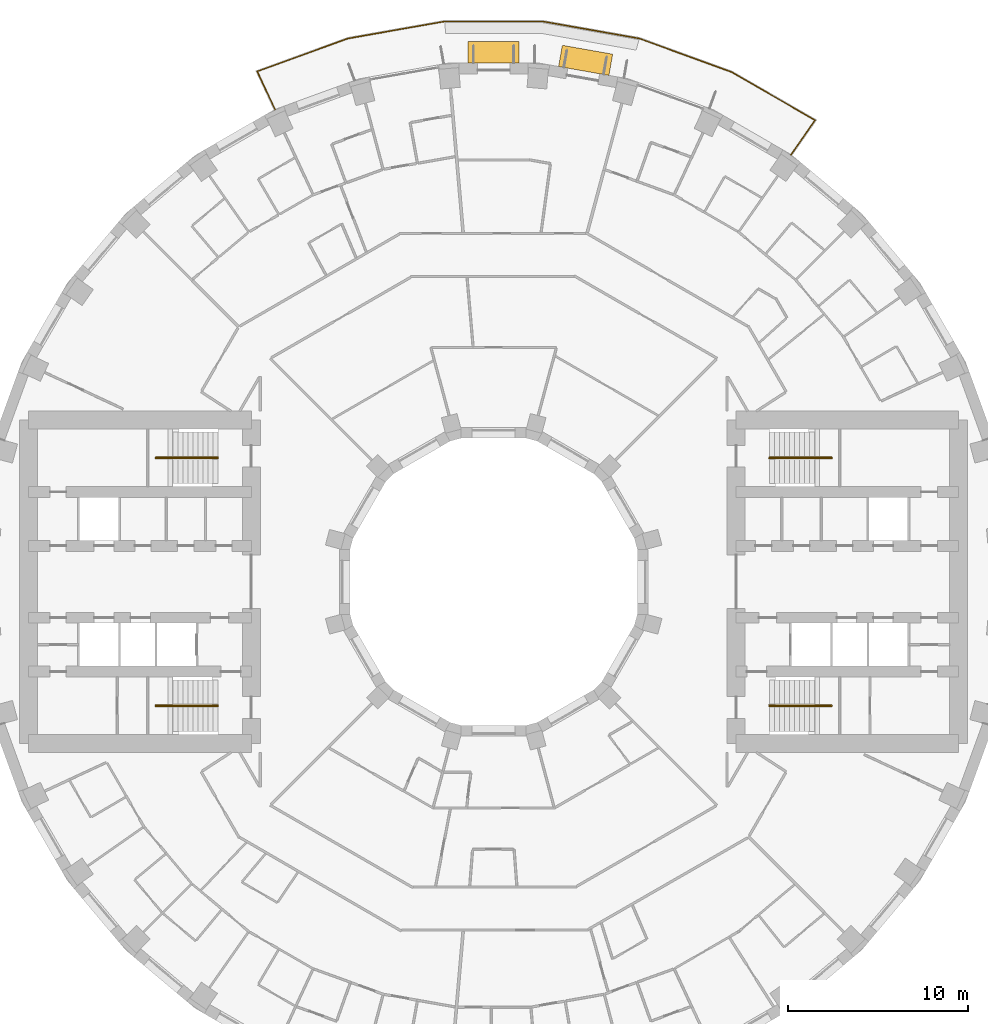
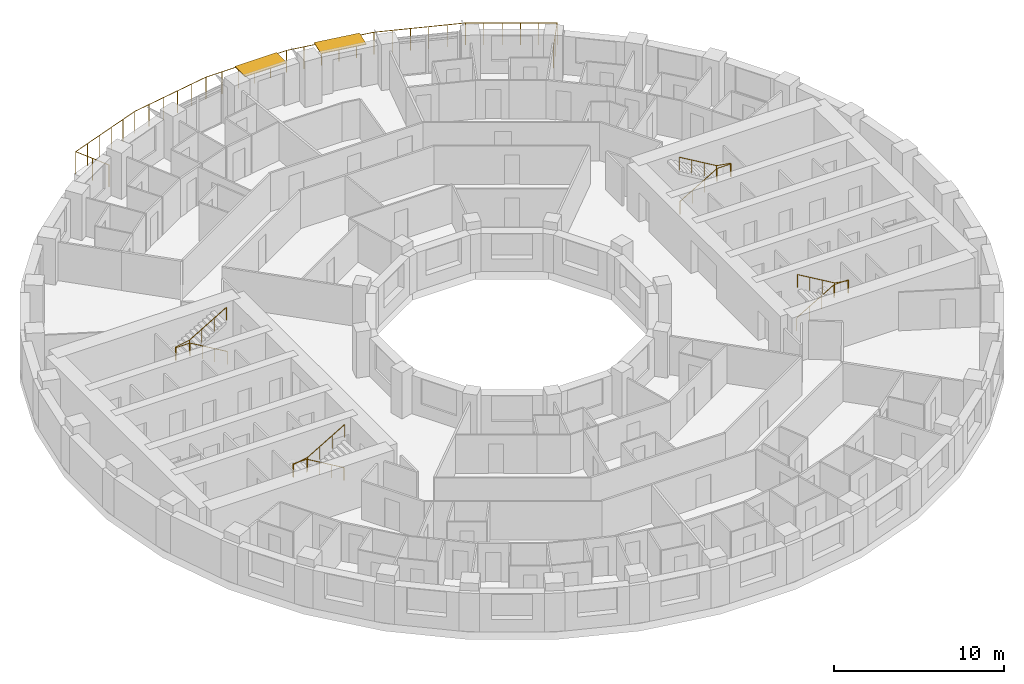
# One storey, part 15 of 15: 5 railings, 2 shading devices.
"""IFC4 building model written with IfcOpenShell, lengths in metres."""

import ifcopenshell
import ifcopenshell.guid

model = None  # the IFC model being written
_history = None  # IfcOwnerHistory: only IFC2X3 demands one
_inside = {}  # id of a spatial element -> (the spatial element, [elements in it])
_under = {}  # id of a project, library or spatial element -> (it, [spatial elements below it])
_declared = {}  # id of a project -> (the project, [libraries it declares])
_typed = {}  # id of a type object -> (the type object, [elements of that type])
_made_of = {}  # id of a material, layer set ... -> (it, [elements and type objects made of it])


def new_model(schema):
    """Start an empty IFC model of exactly this schema.

    Asked for "IFC4X3", IfcOpenShell would pick the latest addendum, in which some entities
    have other attributes; the version numbers below select the first issue.
    IFC2X3 requires an IfcOwnerHistory on every rooted entity: one is made here for all.
    """
    global model, _history
    if schema == "IFC4X3":
        model = ifcopenshell.file(schema_version=(4, 3, 0, 0))
    else:
        model = ifcopenshell.file(schema=schema)
    _inside.clear()
    _under.clear()
    _declared.clear()
    _typed.clear()
    _made_of.clear()
    _history = None
    if model.schema == "IFC2X3":
        org = make("IfcOrganization", Name="unknown")
        user = make(
            "IfcPersonAndOrganization",
            ThePerson=make("IfcPerson", FamilyName="unknown"),
            TheOrganization=org,
        )
        app = make(
            "IfcApplication",
            ApplicationDeveloper=org,
            Version="unknown",
            ApplicationFullName="unknown",
            ApplicationIdentifier="unknown",
        )
        _history = make(
            "IfcOwnerHistory",
            OwningUser=user,
            OwningApplication=app,
            ChangeAction="ADDED",
            CreationDate=0,
        )
    return model


def make(cls, **values):
    """One entity of the class cls with the attributes given. An attribute that is None is left unset."""
    return model.create_entity(
        cls, **{name: value for name, value in values.items() if value is not None}
    )


def rooted(cls, **values):
    """An entity with a GlobalId (a new one), such as an element, a storey or a relation."""
    return make(cls, GlobalId=ifcopenshell.guid.new(), OwnerHistory=_history, **values)


def si_unit(unit_type, name, prefix=None):
    """IfcSIUnit, for example si_unit("LENGTHUNIT", "METRE", prefix="MILLI")."""
    return make("IfcSIUnit", UnitType=unit_type, Prefix=prefix, Name=name)


def assignment(units):
    """IfcUnitAssignment: the units of a project."""
    return None if units is None else make("IfcUnitAssignment", Units=units)


def point(xyz):
    """IfcCartesianPoint."""
    return None if xyz is None else make("IfcCartesianPoint", Coordinates=xyz)


def direction(xyz):
    """IfcDirection."""
    return None if xyz is None else make("IfcDirection", DirectionRatios=xyz)


def frame(location, z_axis=None, x_axis=None):
    """IfcAxis2Placement3D, a coordinate frame: its origin and axes. An axis left out is left unset."""
    return make(
        "IfcAxis2Placement3D",
        Location=point(location),
        Axis=direction(z_axis),
        RefDirection=direction(x_axis),
    )


def frame_2d(location, x_axis=None):
    """IfcAxis2Placement2D, a coordinate frame in the plane: its origin and x axis."""
    return make(
        "IfcAxis2Placement2D", Location=point(location), RefDirection=direction(x_axis)
    )


def origin():
    """The frame at (0, 0, 0) with its axes left unset."""
    return frame((0.0, 0.0, 0.0))


def origin_2d():
    """The frame at (0, 0) in the plane with its x axis left unset."""
    return frame_2d((0.0, 0.0))


def place(relative_to, where):
    """IfcLocalPlacement: puts the frame where relative to a parent placement (None: the world)."""
    return make(
        "IfcLocalPlacement", PlacementRelTo=relative_to, RelativePlacement=where
    )


def context(
    kind, dimensions, precision=None, world=None, true_north=None, identifier=None
):
    """IfcGeometricRepresentationContext, for example the 3D "Model" context."""
    return make(
        "IfcGeometricRepresentationContext",
        ContextIdentifier=identifier,
        ContextType=kind,
        CoordinateSpaceDimension=dimensions,
        Precision=precision,
        WorldCoordinateSystem=world,
        TrueNorth=true_north,
    )


def subcontext(parent, identifier, kind, view, scale=None):
    """IfcGeometricRepresentationSubContext, for example "Body" below "Model"."""
    return make(
        "IfcGeometricRepresentationSubContext",
        ContextIdentifier=identifier,
        ContextType=kind,
        ParentContext=parent,
        TargetScale=scale,
        TargetView=view,
    )


def project(units=None, contexts=None):
    """IfcProject with its units and contexts."""
    return rooted(
        "IfcProject",
        Name="project",
        RepresentationContexts=contexts,
        UnitsInContext=assignment(units),
    )


def spatial(cls, under=None, at=None, **own):
    """A site, building, storey or space (cls), placed at a placement, below another one or the project."""
    s = rooted(cls, ObjectPlacement=at, **own)
    if under is not None:
        _under.setdefault(under.id(), (under, []))[1].append(s)
    return s


def profile(cls, at=None, kind="AREA", **sizes):
    """A parametric profile (cls). Its sizes go by their IFC names, for example OverallWidth=200.0."""
    return make(cls, ProfileType=kind, Position=at, **sizes)


def rectangle(**sizes):
    """IfcRectangleProfileDef."""
    return profile("IfcRectangleProfileDef", **sizes)


def circle(**sizes):
    """IfcCircleProfileDef."""
    return profile("IfcCircleProfileDef", **sizes)


def extrude(swept, where, along, depth):
    """IfcExtrudedAreaSolid: the profile swept, set in the frame where, extruded along a direction by depth."""
    return make(
        "IfcExtrudedAreaSolid",
        SweptArea=swept,
        Position=where,
        ExtrudedDirection=direction(along),
        Depth=depth,
    )


def shape(context_of_items, identifier, shape_type, items):
    """IfcShapeRepresentation: the items that make up one representation, for example the "Body"."""
    return make(
        "IfcShapeRepresentation",
        ContextOfItems=context_of_items,
        RepresentationIdentifier=identifier,
        RepresentationType=shape_type,
        Items=items,
    )


def material(Name=None, Category=None):
    """IfcMaterial."""
    return make("IfcMaterial", Name=Name, Category=Category)


def layer(
    of_material, thickness, ventilated=None, Name=None, Category=None, Priority=None
):
    """IfcMaterialLayer: one layer of a wall or slab, of a material (None: an air gap)."""
    return make(
        "IfcMaterialLayer",
        Material=of_material,
        LayerThickness=thickness,
        IsVentilated=ventilated,
        Name=Name,
        Category=Category,
        Priority=Priority,
    )


def layer_set(layers, Name=None):
    """IfcMaterialLayerSet."""
    return make("IfcMaterialLayerSet", MaterialLayers=layers, LayerSetName=Name)


def made_of(thing, what):
    """Note that an element or type object is made of a material, layer set ...; save() writes the relation."""
    if what is not None:
        _made_of.setdefault(what.id(), (what, []))[1].append(thing)
    return thing


def type_object(cls, material=None, **own):
    """A type object (cls), such as IfcWallType, which elements share."""
    return made_of(rooted(cls, **own), material)


def element(
    cls,
    number,
    at=None,
    inside=None,
    cuts=None,
    type_object=None,
    material=None,
    context=None,
    identifier="Body",
    shape_type=None,
    held_by="IfcProductDefinitionShape",
    body=None,
    shapes=None,
    **own,
):
    """One element of the class cls, such as IfcWall. Its Tag is "e" and its number.

    at: its placement. inside: the storey or other place that contains it. cuts: it is an
    opening in that element (IfcRelVoidsElement). A single representation is given by context,
    identifier, shape_type and body (its items); several are given by shapes. held_by: the class
    of the entity that holds the representations. save() writes the other relations.
    """
    e = rooted(cls, Tag="e%d" % number, ObjectPlacement=at, **own)
    if body is not None:
        shapes = [shape(context, identifier, shape_type, body)]
    if shapes is not None:
        e.Representation = make(held_by, Representations=shapes)
    if inside is not None:
        _inside.setdefault(inside.id(), (inside, []))[1].append(e)
    if cuts is not None:
        rooted(
            "IfcRelVoidsElement", RelatingBuildingElement=cuts, RelatedOpeningElement=e
        )
    if type_object is not None:
        _typed.setdefault(type_object.id(), (type_object, []))[1].append(e)
    return made_of(e, material)


def aggregate(whole, parts):
    """IfcRelAggregates: a whole, such as a stair, and the parts it consists of."""
    return rooted("IfcRelAggregates", RelatingObject=whole, RelatedObjects=parts)


def save(model, path):
    """Write the relations noted so far, then the file.

    IfcRelAggregates (storeys below a building ...), IfcRelContainedInSpatialStructure (elements
    in a storey), IfcRelDefinesByType, IfcRelAssociatesMaterial and IfcRelDeclares: one each for
    every whole, place, type object, material and project.
    """
    for whole, parts in _under.values():
        aggregate(whole, parts)
    for where, things in _inside.values():
        rooted(
            "IfcRelContainedInSpatialStructure",
            RelatedElements=things,
            RelatingStructure=where,
        )
    for kind, things in _typed.values():
        rooted("IfcRelDefinesByType", RelatedObjects=things, RelatingType=kind)
    for what, things in _made_of.values():
        rooted("IfcRelAssociatesMaterial", RelatedObjects=things, RelatingMaterial=what)
    for by, libraries in _declared.values():
        rooted("IfcRelDeclares", RelatingContext=by, RelatedDefinitions=libraries)
    model.write(path)


model = new_model("IFC4")

# Units and contexts
model_context = context("Model", 3, precision=1e-05, world=origin(), true_north=direction((0.0, 1.0)))
body_context = subcontext(model_context, "Body", "Model", "MODEL_VIEW")
ifc_project = project(units=[si_unit("LENGTHUNIT", "METRE"), si_unit("AREAUNIT", "SQUARE_METRE"), si_unit("VOLUMEUNIT", "CUBIC_METRE"), si_unit("PLANEANGLEUNIT", "RADIAN"), si_unit("MASSUNIT", "GRAM", prefix="KILO")], contexts=[model_context])

# Site, building, storey
site_placement = place(None, origin())
site = spatial("IfcSite", under=ifc_project, at=site_placement, CompositionType="ELEMENT")
building_placement = place(site_placement, origin())
building = spatial("IfcBuilding", under=site, at=building_placement, Name="Saqina Gate Tower", CompositionType="ELEMENT")
storey_placement = place(building_placement, frame((0.0, 0.0, 75.800048828125)))
storey = spatial("IfcBuildingStorey", under=building, at=storey_placement, Name="L21", CompositionType="ELEMENT", Elevation=75.800048828125)

# Shading devices
ifc_material_1 = material(Name="Aluminium and fabric awning", Category="aluminium")
ifc_layer = layer(ifc_material_1, 0.050048828125)
ifc_layer_set = layer_set([ifc_layer], Name="AW-TERRACE")
shading_device_type = type_object("IfcShadingDeviceType", Name="AW-TERRACE", PredefinedType="AWNING", material=ifc_layer_set)
for number, where, z_axis, x_axis, name in (
    (1, (5.120849609375, 29.04150390625, 2.52490234375), (0.0, 0.0, 1.0), (-0.984807753012, 0.173648177667, 0.0), "Terrace awning L21 facet 8"),
    (2, (0.0, 29.489501953125, 2.52490234375), (0.0, 0.0, 1.0), (-1.0, 0.0, 0.0), "Terrace awning L21 facet 9"),
):
    element("IfcShadingDevice", number, at=place(storey_placement, frame(where, z_axis=z_axis, x_axis=x_axis)), inside=storey, type_object=shading_device_type, Name=name, PredefinedType="AWNING", context=body_context, shape_type="SweptSolid", body=[
        extrude(rectangle(XDim=2.845703125, YDim=1.199951171875, at=origin_2d()), origin(), (0.0, 0.0, 1.0), 0.050048828125),
    ])

# Railings
ifc_material_2 = material(Name="Stainless steel", Category="steel")
railing_type_1 = type_object("IfcRailingType", Name="RL-TERRACE", PredefinedType="GUARDRAIL", material=ifc_material_2)
railing_1_placement = place(storey_placement, frame((16.53369140625, 23.752197265625, 0.0)))
element("IfcRailing", 3, at=railing_1_placement, inside=storey, type_object=railing_type_1, Name="Terrace guard L21", PredefinedType="GUARDRAIL", context=body_context, shape_type="SweptSolid", body=[
    extrude(circle(Radius=0.02392578125, at=origin_2d()), frame((0.0, 0.0, 1.576171875), z_axis=(0.573633803889, 0.819111872113, 0.0), x_axis=(-0.819111872113, 0.573633803889, 0.0)), (0.0, 0.0, 1.0), 2.388916015625),
    extrude(circle(Radius=0.02392578125, at=origin_2d()), frame((1.370361328125, 1.956787109375, 1.576171875), z_axis=(-0.866686651493, 0.49885293236, 0.0), x_axis=(-0.49885293236, -0.866686651493, 0.0)), (0.0, 0.0, 1.0), 5.381591796875),
    extrude(circle(Radius=0.02392578125, at=origin_2d()), frame((-3.293701171875, 4.641357421875, 1.576171875), z_axis=(-0.939682423935, 0.342048157644, 0.0), x_axis=(-0.342048157644, -0.939682423935, 0.0)), (0.0, 0.0, 1.0), 5.4609375),
    extrude(circle(Radius=0.02392578125, at=origin_2d()), frame((-8.42529296875, 6.50927734375, 1.576171875), z_axis=(-0.984808752483, 0.17364250929, 0.0), x_axis=(-0.17364250929, -0.984808752483, 0.0)), (0.0, 0.0, 1.0), 5.4609375),
    extrude(circle(Radius=0.02392578125, at=origin_2d()), frame((-13.80322265625, 7.45751953125, 1.576171875), z_axis=(-1.0, 0.0, 0.0), x_axis=(0.0, -1.0, 0.0)), (0.0, 0.0, 1.0), 5.4609375),
    extrude(circle(Radius=0.02392578125, at=origin_2d()), frame((-19.26416015625, 7.45751953125, 1.576171875), z_axis=(-0.984808752483, -0.17364250929, 0.0), x_axis=(0.17364250929, -0.984808752483, 0.0)), (0.0, 0.0, 1.0), 5.4609375),
    extrude(circle(Radius=0.02392578125, at=origin_2d()), frame((-24.64208984375, 6.50927734375, 1.576171875), z_axis=(-0.940132067682, -0.340810350952, 0.0), x_axis=(0.340810350952, -0.940132067682, 0.0)), (0.0, 0.0, 1.0), 5.38134765625),
    extrude(circle(Radius=0.02392578125, at=origin_2d()), frame((-29.701171875, 4.67529296875, 1.576171875), z_axis=(0.422516148785, -0.906355396087, 0.0), x_axis=(0.906355396087, 0.422516148785, 0.0)), (0.0, 0.0, 1.0), 2.388671875),
    extrude(circle(Radius=0.02099609375, at=origin_2d()), origin(), (0.0, 0.0, 1.0), 1.552001953125),
    extrude(circle(Radius=0.02099609375, at=origin_2d()), frame((0.68505859375, 0.978515625, 0.0)), (0.0, 0.0, 1.0), 1.552001953125),
    extrude(circle(Radius=0.02099609375, at=origin_2d()), frame((1.370361328125, 1.956787109375, 0.0)), (0.0, 0.0, 1.0), 1.552001953125),
    extrude(circle(Radius=0.02099609375, at=origin_2d()), frame((0.4375, 2.49365234375, 0.0)), (0.0, 0.0, 1.0), 1.552001953125),
    extrude(circle(Radius=0.02099609375, at=origin_2d()), frame((-0.495361328125, 3.030517578125, 0.0)), (0.0, 0.0, 1.0), 1.552001953125),
    extrude(circle(Radius=0.02099609375, at=origin_2d()), frame((-1.427978515625, 3.567626953125, 0.0)), (0.0, 0.0, 1.0), 1.552001953125),
    extrude(circle(Radius=0.02099609375, at=origin_2d()), frame((-2.36083984375, 4.1044921875, 0.0)), (0.0, 0.0, 1.0), 1.552001953125),
    extrude(circle(Radius=0.02099609375, at=origin_2d()), frame((-3.293701171875, 4.641357421875, 0.0)), (0.0, 0.0, 1.0), 1.552001953125),
    extrude(circle(Radius=0.02099609375, at=origin_2d()), frame((-4.320068359375, 5.014892578125, 0.0)), (0.0, 0.0, 1.0), 1.552001953125),
    extrude(circle(Radius=0.02099609375, at=origin_2d()), frame((-5.346435546875, 5.388427734375, 0.0)), (0.0, 0.0, 1.0), 1.552001953125),
    extrude(circle(Radius=0.02099609375, at=origin_2d()), frame((-6.37255859375, 5.76220703125, 0.0)), (0.0, 0.0, 1.0), 1.552001953125),
    extrude(circle(Radius=0.02099609375, at=origin_2d()), frame((-7.39892578125, 6.1357421875, 0.0)), (0.0, 0.0, 1.0), 1.552001953125),
    extrude(circle(Radius=0.02099609375, at=origin_2d()), frame((-8.42529296875, 6.50927734375, 0.0)), (0.0, 0.0, 1.0), 1.552001953125),
    extrude(circle(Radius=0.02099609375, at=origin_2d()), frame((-9.5009765625, 6.698974609375, 0.0)), (0.0, 0.0, 1.0), 1.552001953125),
    extrude(circle(Radius=0.02099609375, at=origin_2d()), frame((-10.576416015625, 6.888671875, 0.0)), (0.0, 0.0, 1.0), 1.552001953125),
    extrude(circle(Radius=0.02099609375, at=origin_2d()), frame((-11.652099609375, 7.078125, 0.0)), (0.0, 0.0, 1.0), 1.552001953125),
    extrude(circle(Radius=0.02099609375, at=origin_2d()), frame((-12.7275390625, 7.267822265625, 0.0)), (0.0, 0.0, 1.0), 1.552001953125),
    extrude(circle(Radius=0.02099609375, at=origin_2d()), frame((-13.80322265625, 7.45751953125, 0.0)), (0.0, 0.0, 1.0), 1.552001953125),
    extrude(circle(Radius=0.02099609375, at=origin_2d()), frame((-14.8955078125, 7.45751953125, 0.0)), (0.0, 0.0, 1.0), 1.552001953125),
    extrude(circle(Radius=0.02099609375, at=origin_2d()), frame((-15.987548828125, 7.45751953125, 0.0)), (0.0, 0.0, 1.0), 1.552001953125),
    extrude(circle(Radius=0.02099609375, at=origin_2d()), frame((-17.079833984375, 7.45751953125, 0.0)), (0.0, 0.0, 1.0), 1.552001953125),
    extrude(circle(Radius=0.02099609375, at=origin_2d()), frame((-18.171875, 7.45751953125, 0.0)), (0.0, 0.0, 1.0), 1.552001953125),
    extrude(circle(Radius=0.02099609375, at=origin_2d()), frame((-19.26416015625, 7.45751953125, 0.0)), (0.0, 0.0, 1.0), 1.552001953125),
    extrude(circle(Radius=0.02099609375, at=origin_2d()), frame((-20.33984375, 7.267822265625, 0.0)), (0.0, 0.0, 1.0), 1.552001953125),
    extrude(circle(Radius=0.02099609375, at=origin_2d()), frame((-21.415283203125, 7.078125, 0.0)), (0.0, 0.0, 1.0), 1.552001953125),
    extrude(circle(Radius=0.02099609375, at=origin_2d()), frame((-22.490966796875, 6.888671875, 0.0)), (0.0, 0.0, 1.0), 1.552001953125),
    extrude(circle(Radius=0.02099609375, at=origin_2d()), frame((-23.56640625, 6.698974609375, 0.0)), (0.0, 0.0, 1.0), 1.552001953125),
    extrude(circle(Radius=0.02099609375, at=origin_2d()), frame((-24.64208984375, 6.50927734375, 0.0)), (0.0, 0.0, 1.0), 1.552001953125),
    extrude(circle(Radius=0.02099609375, at=origin_2d()), frame((-25.65380859375, 6.142578125, 0.0)), (0.0, 0.0, 1.0), 1.552001953125),
    extrude(circle(Radius=0.02099609375, at=origin_2d()), frame((-26.665771484375, 5.775634765625, 0.0)), (0.0, 0.0, 1.0), 1.552001953125),
    extrude(circle(Radius=0.02099609375, at=origin_2d()), frame((-27.677490234375, 5.408935546875, 0.0)), (0.0, 0.0, 1.0), 1.552001953125),
    extrude(circle(Radius=0.02099609375, at=origin_2d()), frame((-28.689453125, 5.0419921875, 0.0)), (0.0, 0.0, 1.0), 1.552001953125),
    extrude(circle(Radius=0.02099609375, at=origin_2d()), frame((-29.701171875, 4.67529296875, 0.0)), (0.0, 0.0, 1.0), 1.552001953125),
    extrude(circle(Radius=0.02099609375, at=origin_2d()), frame((-29.196533203125, 3.5927734375, 0.0)), (0.0, 0.0, 1.0), 1.552001953125),
    extrude(circle(Radius=0.02099609375, at=origin_2d()), frame((-28.69189453125, 2.51025390625, 0.0)), (0.0, 0.0, 1.0), 1.552001953125),
])
ifc_material_3 = material(Name="Stainless steel", Category="steel")
railing_type_2 = type_object("IfcRailingType", Name="STAIR HANDRAIL", PredefinedType="HANDRAIL", material=ifc_material_3)
railing_2_placement = place(storey_placement, frame((15.35009765625, 6.86669921875, 0.1650390625)))
element("IfcRailing", 4, at=railing_2_placement, inside=storey, type_object=railing_type_2, Name="EXIT STAIR 1 HANDRAIL", PredefinedType="HANDRAIL", context=body_context, shape_type="SweptSolid", body=[
    extrude(circle(Radius=0.02392578125, at=origin_2d()), frame((0.0, 0.0, 0.92578125), z_axis=(0.861560626758, 0.0, 0.507654692109), x_axis=(0.0, 1.0, 0.0)), (0.0, 0.0, 1.0), 2.925048828125),
    extrude(circle(Radius=0.02392578125, at=origin_2d()), frame((2.52001953125, 0.0, 2.41064453125), z_axis=(1.0, 0.0, 0.0), x_axis=(0.0, 1.0, 0.0)), (0.0, 0.0, 1.0), 0.949951171875),
    extrude(circle(Radius=0.02392578125, at=origin_2d()), frame((3.469970703125, 0.0, 2.41064453125), z_axis=(0.0, 1.0, 0.0), x_axis=(-1.0, 0.0, 0.0)), (0.0, 0.0, 1.0), 0.066650390625),
    extrude(circle(Radius=0.02392578125, at=origin_2d()), frame((3.469970703125, 0.066650390625, 2.41064453125), z_axis=(-0.985241474778, 0.0, 0.171170197109), x_axis=(0.0, -1.0, 0.0)), (0.0, 0.0, 1.0), 0.964111328125),
    extrude(circle(Radius=0.02392578125, at=origin_2d()), frame((2.52001953125, 0.066650390625, 2.57568359375), z_axis=(-0.86152411907, 0.0, 0.507716645641), x_axis=(0.0, -1.0, 0.0)), (0.0, 0.0, 1.0), 2.925048828125),
    extrude(circle(Radius=0.02099609375, at=origin_2d()), origin(), (0.0, 0.0, 1.0), 0.90185546875),
    extrude(circle(Radius=0.02099609375, at=origin_2d()), frame((0.840087890625, 0.0, 0.494873046875)), (0.0, 0.0, 1.0), 0.90185546875),
    extrude(circle(Radius=0.02099609375, at=origin_2d()), frame((1.679931640625, 0.0, 0.989990234375)), (0.0, 0.0, 1.0), 0.90185546875),
    extrude(circle(Radius=0.02099609375, at=origin_2d()), frame((2.52001953125, 0.0, 1.48486328125)), (0.0, 0.0, 1.0), 0.90185546875),
    extrude(circle(Radius=0.02099609375, at=origin_2d()), frame((3.469970703125, 0.0, 1.48486328125)), (0.0, 0.0, 1.0), 0.90185546875),
    extrude(circle(Radius=0.02099609375, at=origin_2d()), frame((3.469970703125, 0.066650390625, 1.48486328125)), (0.0, 0.0, 1.0), 0.90185546875),
    extrude(circle(Radius=0.02099609375, at=origin_2d()), frame((2.52001953125, 0.066650390625, 1.64990234375)), (0.0, 0.0, 1.0), 0.90185546875),
    extrude(circle(Radius=0.02099609375, at=origin_2d()), frame((1.679931640625, 0.066650390625, 2.14501953125)), (0.0, 0.0, 1.0), 0.90185546875),
    extrude(circle(Radius=0.02099609375, at=origin_2d()), frame((0.840087890625, 0.066650390625, 2.639892578125)), (0.0, 0.0, 1.0), 0.90185546875),
    extrude(circle(Radius=0.02099609375, at=origin_2d()), frame((0.0, 0.066650390625, 3.135009765625)), (0.0, 0.0, 1.0), 0.90185546875),
])
railing_3_placement = place(storey_placement, frame((15.35009765625, -6.86669921875, 0.1650390625)))
element("IfcRailing", 5, at=railing_3_placement, inside=storey, type_object=railing_type_2, Name="EXIT STAIR 2 HANDRAIL", PredefinedType="HANDRAIL", context=body_context, shape_type="SweptSolid", body=[
    extrude(circle(Radius=0.02392578125, at=origin_2d()), frame((0.0, 0.0, 0.92578125), z_axis=(0.861560626758, 0.0, 0.507654692109), x_axis=(0.0, 1.0, 0.0)), (0.0, 0.0, 1.0), 2.925048828125),
    extrude(circle(Radius=0.02392578125, at=origin_2d()), frame((2.52001953125, 0.0, 2.41064453125), z_axis=(1.0, 0.0, 0.0), x_axis=(0.0, 1.0, 0.0)), (0.0, 0.0, 1.0), 0.949951171875),
    extrude(circle(Radius=0.02392578125, at=origin_2d()), frame((3.469970703125, 0.0, 2.41064453125), z_axis=(0.0, -1.0, 0.0), x_axis=(1.0, 0.0, 0.0)), (0.0, 0.0, 1.0), 0.066650390625),
    extrude(circle(Radius=0.02392578125, at=origin_2d()), frame((3.469970703125, -0.066650390625, 2.41064453125), z_axis=(-0.985241474778, 0.0, 0.171170197109), x_axis=(0.0, -1.0, 0.0)), (0.0, 0.0, 1.0), 0.964111328125),
    extrude(circle(Radius=0.02392578125, at=origin_2d()), frame((2.52001953125, -0.066650390625, 2.57568359375), z_axis=(-0.86152411907, 0.0, 0.507716645641), x_axis=(0.0, -1.0, 0.0)), (0.0, 0.0, 1.0), 2.925048828125),
    extrude(circle(Radius=0.02099609375, at=origin_2d()), origin(), (0.0, 0.0, 1.0), 0.90185546875),
    extrude(circle(Radius=0.02099609375, at=origin_2d()), frame((0.840087890625, 0.0, 0.494873046875)), (0.0, 0.0, 1.0), 0.90185546875),
    extrude(circle(Radius=0.02099609375, at=origin_2d()), frame((1.679931640625, 0.0, 0.989990234375)), (0.0, 0.0, 1.0), 0.90185546875),
    extrude(circle(Radius=0.02099609375, at=origin_2d()), frame((2.52001953125, 0.0, 1.48486328125)), (0.0, 0.0, 1.0), 0.90185546875),
    extrude(circle(Radius=0.02099609375, at=origin_2d()), frame((3.469970703125, 0.0, 1.48486328125)), (0.0, 0.0, 1.0), 0.90185546875),
    extrude(circle(Radius=0.02099609375, at=origin_2d()), frame((3.469970703125, -0.066650390625, 1.48486328125)), (0.0, 0.0, 1.0), 0.90185546875),
    extrude(circle(Radius=0.02099609375, at=origin_2d()), frame((2.52001953125, -0.066650390625, 1.64990234375)), (0.0, 0.0, 1.0), 0.90185546875),
    extrude(circle(Radius=0.02099609375, at=origin_2d()), frame((1.679931640625, -0.066650390625, 2.14501953125)), (0.0, 0.0, 1.0), 0.90185546875),
    extrude(circle(Radius=0.02099609375, at=origin_2d()), frame((0.840087890625, -0.066650390625, 2.639892578125)), (0.0, 0.0, 1.0), 0.90185546875),
    extrude(circle(Radius=0.02099609375, at=origin_2d()), frame((0.0, -0.066650390625, 3.135009765625)), (0.0, 0.0, 1.0), 0.90185546875),
])
railing_4_placement = place(storey_placement, frame((-15.35009765625, 6.86669921875, 0.1650390625)))
element("IfcRailing", 6, at=railing_4_placement, inside=storey, type_object=railing_type_2, Name="EXIT STAIR 3 HANDRAIL", PredefinedType="HANDRAIL", context=body_context, shape_type="SweptSolid", body=[
    extrude(circle(Radius=0.02392578125, at=origin_2d()), frame((0.0, 0.0, 0.92578125), z_axis=(-0.861560626758, 0.0, 0.507654692109), x_axis=(0.0, -1.0, 0.0)), (0.0, 0.0, 1.0), 2.925048828125),
    extrude(circle(Radius=0.02392578125, at=origin_2d()), frame((-2.52001953125, 0.0, 2.41064453125), z_axis=(-1.0, 0.0, 0.0), x_axis=(0.0, -1.0, 0.0)), (0.0, 0.0, 1.0), 0.949951171875),
    extrude(circle(Radius=0.02392578125, at=origin_2d()), frame((-3.469970703125, 0.0, 2.41064453125), z_axis=(0.0, 1.0, 0.0), x_axis=(-1.0, 0.0, 0.0)), (0.0, 0.0, 1.0), 0.066650390625),
    extrude(circle(Radius=0.02392578125, at=origin_2d()), frame((-3.469970703125, 0.066650390625, 2.41064453125), z_axis=(0.985241474778, 0.0, 0.171170197109), x_axis=(0.0, 1.0, 0.0)), (0.0, 0.0, 1.0), 0.964111328125),
    extrude(circle(Radius=0.02392578125, at=origin_2d()), frame((-2.52001953125, 0.066650390625, 2.57568359375), z_axis=(0.86152411907, 0.0, 0.507716645641), x_axis=(0.0, 1.0, 0.0)), (0.0, 0.0, 1.0), 2.925048828125),
    extrude(circle(Radius=0.02099609375, at=origin_2d()), origin(), (0.0, 0.0, 1.0), 0.90185546875),
    extrude(circle(Radius=0.02099609375, at=origin_2d()), frame((-0.840087890625, 0.0, 0.494873046875)), (0.0, 0.0, 1.0), 0.90185546875),
    extrude(circle(Radius=0.02099609375, at=origin_2d()), frame((-1.679931640625, 0.0, 0.989990234375)), (0.0, 0.0, 1.0), 0.90185546875),
    extrude(circle(Radius=0.02099609375, at=origin_2d()), frame((-2.52001953125, 0.0, 1.48486328125)), (0.0, 0.0, 1.0), 0.90185546875),
    extrude(circle(Radius=0.02099609375, at=origin_2d()), frame((-3.469970703125, 0.0, 1.48486328125)), (0.0, 0.0, 1.0), 0.90185546875),
    extrude(circle(Radius=0.02099609375, at=origin_2d()), frame((-3.469970703125, 0.066650390625, 1.48486328125)), (0.0, 0.0, 1.0), 0.90185546875),
    extrude(circle(Radius=0.02099609375, at=origin_2d()), frame((-2.52001953125, 0.066650390625, 1.64990234375)), (0.0, 0.0, 1.0), 0.90185546875),
    extrude(circle(Radius=0.02099609375, at=origin_2d()), frame((-1.679931640625, 0.066650390625, 2.14501953125)), (0.0, 0.0, 1.0), 0.90185546875),
    extrude(circle(Radius=0.02099609375, at=origin_2d()), frame((-0.840087890625, 0.066650390625, 2.639892578125)), (0.0, 0.0, 1.0), 0.90185546875),
    extrude(circle(Radius=0.02099609375, at=origin_2d()), frame((0.0, 0.066650390625, 3.135009765625)), (0.0, 0.0, 1.0), 0.90185546875),
])
railing_5_placement = place(storey_placement, frame((-15.35009765625, -6.86669921875, 0.1650390625)))
element("IfcRailing", 7, at=railing_5_placement, inside=storey, type_object=railing_type_2, Name="EXIT STAIR 4 HANDRAIL", PredefinedType="HANDRAIL", context=body_context, shape_type="SweptSolid", body=[
    extrude(circle(Radius=0.02392578125, at=origin_2d()), frame((0.0, 0.0, 0.92578125), z_axis=(-0.861560626758, 0.0, 0.507654692109), x_axis=(0.0, -1.0, 0.0)), (0.0, 0.0, 1.0), 2.925048828125),
    extrude(circle(Radius=0.02392578125, at=origin_2d()), frame((-2.52001953125, 0.0, 2.41064453125), z_axis=(-1.0, 0.0, 0.0), x_axis=(0.0, -1.0, 0.0)), (0.0, 0.0, 1.0), 0.949951171875),
    extrude(circle(Radius=0.02392578125, at=origin_2d()), frame((-3.469970703125, 0.0, 2.41064453125), z_axis=(0.0, -1.0, 0.0), x_axis=(1.0, 0.0, 0.0)), (0.0, 0.0, 1.0), 0.066650390625),
    extrude(circle(Radius=0.02392578125, at=origin_2d()), frame((-3.469970703125, -0.066650390625, 2.41064453125), z_axis=(0.985241474778, 0.0, 0.171170197109), x_axis=(0.0, 1.0, 0.0)), (0.0, 0.0, 1.0), 0.964111328125),
    extrude(circle(Radius=0.02392578125, at=origin_2d()), frame((-2.52001953125, -0.066650390625, 2.57568359375), z_axis=(0.86152411907, 0.0, 0.507716645641), x_axis=(0.0, 1.0, 0.0)), (0.0, 0.0, 1.0), 2.925048828125),
    extrude(circle(Radius=0.02099609375, at=origin_2d()), origin(), (0.0, 0.0, 1.0), 0.90185546875),
    extrude(circle(Radius=0.02099609375, at=origin_2d()), frame((-0.840087890625, 0.0, 0.494873046875)), (0.0, 0.0, 1.0), 0.90185546875),
    extrude(circle(Radius=0.02099609375, at=origin_2d()), frame((-1.679931640625, 0.0, 0.989990234375)), (0.0, 0.0, 1.0), 0.90185546875),
    extrude(circle(Radius=0.02099609375, at=origin_2d()), frame((-2.52001953125, 0.0, 1.48486328125)), (0.0, 0.0, 1.0), 0.90185546875),
    extrude(circle(Radius=0.02099609375, at=origin_2d()), frame((-3.469970703125, 0.0, 1.48486328125)), (0.0, 0.0, 1.0), 0.90185546875),
    extrude(circle(Radius=0.02099609375, at=origin_2d()), frame((-3.469970703125, -0.066650390625, 1.48486328125)), (0.0, 0.0, 1.0), 0.90185546875),
    extrude(circle(Radius=0.02099609375, at=origin_2d()), frame((-2.52001953125, -0.066650390625, 1.64990234375)), (0.0, 0.0, 1.0), 0.90185546875),
    extrude(circle(Radius=0.02099609375, at=origin_2d()), frame((-1.679931640625, -0.066650390625, 2.14501953125)), (0.0, 0.0, 1.0), 0.90185546875),
    extrude(circle(Radius=0.02099609375, at=origin_2d()), frame((-0.840087890625, -0.066650390625, 2.639892578125)), (0.0, 0.0, 1.0), 0.90185546875),
    extrude(circle(Radius=0.02099609375, at=origin_2d()), frame((0.0, -0.066650390625, 3.135009765625)), (0.0, 0.0, 1.0), 0.90185546875),
])

save(model, "model.ifc")
